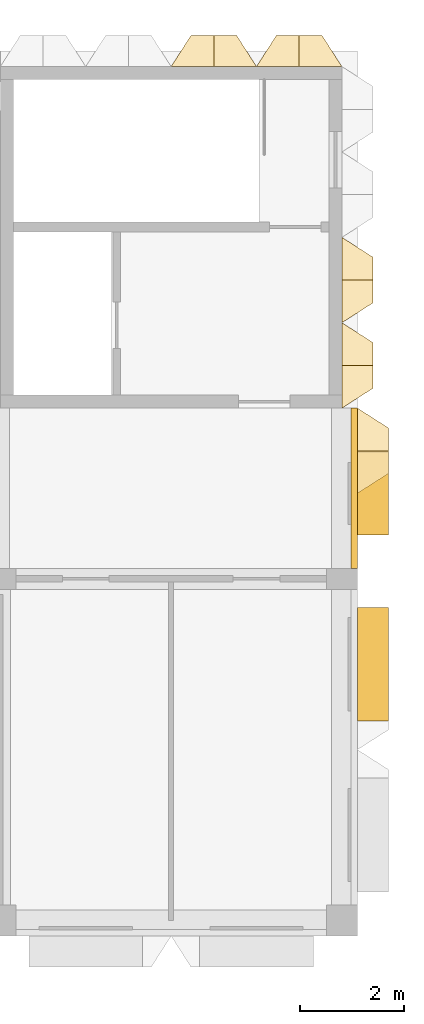
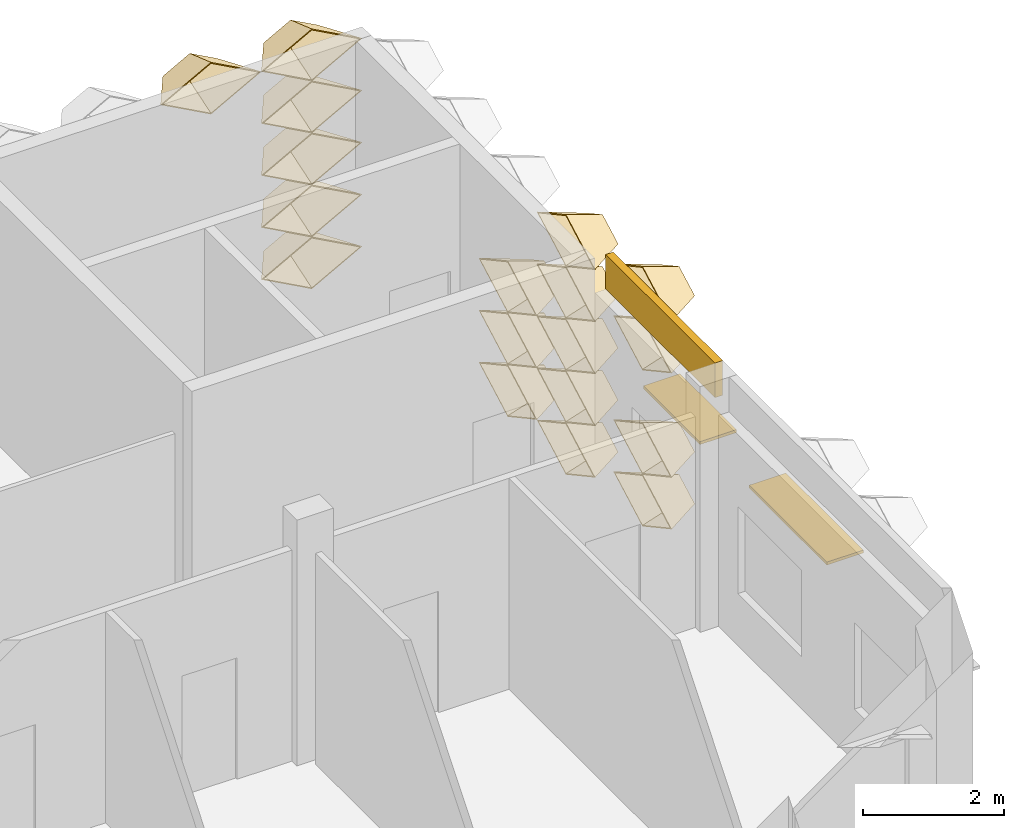
# One storey, part 83 of 85: 19 coverings, 2 shading devices.
"""IFC4 building model written with IfcOpenShell, lengths in metres."""

from ifc_helpers import new_model, entity, si_unit, direction, frame, frame_2d, origin, origin_2d, place, context, subcontext, project, spatial, rectangle, extrude, material, layer, layer_set, type_object, element, save


model = new_model("IFC4")

# Units and contexts
model_context = context("Model", 3, precision=1e-05, world=origin(), true_north=direction((0.0, 1.0)))
body_context = subcontext(model_context, "Body", "Model", "MODEL_VIEW")
ifc_project = project(units=[si_unit("LENGTHUNIT", "METRE"), si_unit("AREAUNIT", "SQUARE_METRE"), si_unit("VOLUMEUNIT", "CUBIC_METRE"), si_unit("PLANEANGLEUNIT", "RADIAN"), si_unit("MASSUNIT", "GRAM", prefix="KILO")], contexts=[model_context])

# Site, building, storey
site_placement = place(None, origin())
site = spatial("IfcSite", under=ifc_project, at=site_placement, CompositionType="ELEMENT")
building_placement = place(site_placement, origin())
building = spatial("IfcBuilding", under=site, at=building_placement, Name="Lantern Court Research Institute", CompositionType="ELEMENT")
storey_placement = place(building_placement, frame((0.0, 0.0, 18.89990234375)))
storey = spatial("IfcBuildingStorey", under=building, at=storey_placement, Name="L04", CompositionType="ELEMENT", Elevation=18.89990234375)

# Shading devices
ifc_material_1 = material(Name="Aluminium alloy 6063-T6", Category="aluminium")
ifc_layer_1 = layer(ifc_material_1, 0.050048828125)
ifc_layer_set_1 = layer_set([ifc_layer_1], Name="Aluminium alloy 6063-T6")
shading_device_type_1 = type_object("IfcShadingDeviceType", Name="Brise-soleil blade 1600 x 600 x 50 aluminium", PredefinedType="USERDEFINED", material=ifc_layer_set_1)
shading_device_1_placement = place(storey_placement, frame((79.800048828125, 90.75, 2.39990234375), z_axis=(0.0, 0.0, 1.0), x_axis=(0.0, -1.0, 0.0)))
element("IfcShadingDevice", 1, at=shading_device_1_placement, inside=storey, type_object=shading_device_type_1, Name="Brise-soleil blade L04 E", ObjectType="LOUVRE", PredefinedType="USERDEFINED", context=body_context, shape_type="SweptSolid", body=[
    extrude(rectangle(XDim=1.60009765625, YDim=0.60009765625, at=origin_2d()), origin(), (0.0, 0.0, 1.0), 0.050048828125),
])
ifc_material_2 = material(Name="Aluminium alloy 6063-T6", Category="aluminium")
ifc_layer_2 = layer(ifc_material_2, 0.050048828125)
ifc_layer_set_2 = layer_set([ifc_layer_2], Name="Aluminium alloy 6063-T6")
shading_device_type_2 = type_object("IfcShadingDeviceType", Name="Brise-soleil blade 2200 x 600 x 50 aluminium", PredefinedType="USERDEFINED", material=ifc_layer_set_2)
shading_device_2_placement = place(storey_placement, frame((79.800048828125, 87.449951171875, 2.5), z_axis=(0.0, 0.0, 1.0), x_axis=(0.0, -1.0, 0.0)))
element("IfcShadingDevice", 2, at=shading_device_2_placement, inside=storey, type_object=shading_device_type_2, Name="Brise-soleil blade L04 E", ObjectType="LOUVRE", PredefinedType="USERDEFINED", context=body_context, shape_type="SweptSolid", body=[
    extrude(rectangle(XDim=2.199951171875, YDim=0.60009765625, at=origin_2d()), origin(), (0.0, 0.0, 1.0), 0.050048828125),
])

# Coverings
ifc_material_3 = material(Name="Aluminium composite panel with mineral wool insulation", Category="aluminium")
ifc_layer_3 = layer(ifc_material_3, 0.125)
ifc_layer_set_3 = layer_set([ifc_layer_3], Name="Aluminium composite panel with mineral wool insulation")
covering_type_1 = type_object("IfcCoveringType", Name="Edge fascia panel 125 aluminium faced", PredefinedType="CLADDING", material=ifc_layer_set_3)
covering_1_placement = place(storey_placement, frame((79.4375, 92.39990234375, 3.650146484375), z_axis=(0.0, 0.0, 1.0), x_axis=(0.0, -1.0, 0.0)))
element("IfcCovering", 3, at=covering_1_placement, inside=storey, type_object=covering_type_1, Name="Edge fascia V6E L04 02", PredefinedType="CLADDING", context=body_context, shape_type="SweptSolid", body=[
    extrude(rectangle(XDim=3.099853515625, YDim=0.125, at=frame_2d((1.5498046875, 0.0))), origin(), (0.0, 0.0, 1.0), 0.599853515625),
])
ifc_material_4 = material(Name="Anodised aluminium", Category="aluminium")
ifc_layer_4 = layer(ifc_material_4, 0.01611328125)
ifc_layer_set_4 = layer_set([ifc_layer_4], Name="Anodised aluminium")
covering_type_2 = type_object("IfcCoveringType", Name="Fin cassette 1650 x 900 x 600 aluminium", PredefinedType="CLADDING", material=ifc_layer_set_4)
covering_2_placement = place(storey_placement, frame((79.199951171875, 93.22509765625, 0.4501953125), z_axis=(1.0, 0.0, 0.0), x_axis=(0.0, 1.0, 0.0)))
cartesian_point_1 = entity("IfcCartesianPoint", [0.824951171875, 0.0])
cartesian_point_2 = entity("IfcCartesianPoint", [0.79150390625, 0.0])
cartesian_point_3 = entity("IfcCartesianPoint", [0.44189453125, 0.0])
cartesian_point_4 = entity("IfcCartesianPoint", [0.43359375, 0.0])
element("IfcCovering", 4, at=covering_2_placement, inside=storey, type_object=covering_type_2, Name="Fin cassette V6E-L04 1.57", PredefinedType="CLADDING", context=body_context, shape_type="SweptSolid", body=[
    entity("IfcExtrudedAreaSolidTapered", entity("IfcArbitraryProfileDefWithVoids", "AREA", None, entity("IfcPolyline", [cartesian_point_1, entity("IfcCartesianPoint", [0.0, 0.449951171875]), entity("IfcCartesianPoint", [-0.824951171875, 0.0]), entity("IfcCartesianPoint", [0.0, -0.449951171875]), cartesian_point_1]), [entity("IfcPolyline", [cartesian_point_2, entity("IfcCartesianPoint", [0.0, 0.431884765625]), entity("IfcCartesianPoint", [-0.79150390625, 0.0]), entity("IfcCartesianPoint", [0.0, -0.431884765625]), cartesian_point_2])]), entity("IfcAxis2Placement3D", entity("IfcCartesianPoint", [0.0, 0.0, 0.0])), entity("IfcDirection", [0.0, 0.0, 1.0]), 0.60009765625, entity("IfcArbitraryProfileDefWithVoids", "AREA", None, entity("IfcPolyline", [cartesian_point_3, entity("IfcCartesianPoint", [0.0, 0.240966796875]), entity("IfcCartesianPoint", [-0.44189453125, 0.0]), entity("IfcCartesianPoint", [0.0, -0.240966796875]), cartesian_point_3]), [entity("IfcPolyline", [cartesian_point_4, entity("IfcCartesianPoint", [0.0, 0.236572265625]), entity("IfcCartesianPoint", [-0.43359375, 0.0]), entity("IfcCartesianPoint", [0.0, -0.236572265625]), cartesian_point_4])])),
])
covering_3_placement = place(storey_placement, frame((79.199951171875, 94.875, 0.4501953125), z_axis=(1.0, 0.0, 0.0), x_axis=(0.0, 1.0, 0.0)))
cartesian_point_5 = entity("IfcCartesianPoint", [0.824951171875, 0.0])
cartesian_point_6 = entity("IfcCartesianPoint", [0.79150390625, 0.0])
cartesian_point_7 = entity("IfcCartesianPoint", [0.44189453125, 0.0])
cartesian_point_8 = entity("IfcCartesianPoint", [0.43359375, 0.0])
element("IfcCovering", 5, at=covering_3_placement, inside=storey, type_object=covering_type_2, Name="Fin cassette V6E-L04 1.58", PredefinedType="CLADDING", context=body_context, shape_type="SweptSolid", body=[
    entity("IfcExtrudedAreaSolidTapered", entity("IfcArbitraryProfileDefWithVoids", "AREA", None, entity("IfcPolyline", [cartesian_point_5, entity("IfcCartesianPoint", [0.0, 0.449951171875]), entity("IfcCartesianPoint", [-0.824951171875, 0.0]), entity("IfcCartesianPoint", [0.0, -0.449951171875]), cartesian_point_5]), [entity("IfcPolyline", [cartesian_point_6, entity("IfcCartesianPoint", [0.0, 0.431884765625]), entity("IfcCartesianPoint", [-0.79150390625, 0.0]), entity("IfcCartesianPoint", [0.0, -0.431884765625]), cartesian_point_6])]), entity("IfcAxis2Placement3D", entity("IfcCartesianPoint", [0.0, 0.0, 0.0])), entity("IfcDirection", [0.0, 0.0, 1.0]), 0.60009765625, entity("IfcArbitraryProfileDefWithVoids", "AREA", None, entity("IfcPolyline", [cartesian_point_7, entity("IfcCartesianPoint", [0.0, 0.240966796875]), entity("IfcCartesianPoint", [-0.44189453125, 0.0]), entity("IfcCartesianPoint", [0.0, -0.240966796875]), cartesian_point_7]), [entity("IfcPolyline", [cartesian_point_8, entity("IfcCartesianPoint", [0.0, 0.236572265625]), entity("IfcCartesianPoint", [-0.43359375, 0.0]), entity("IfcCartesianPoint", [0.0, -0.236572265625]), cartesian_point_8])])),
])
covering_4_placement = place(storey_placement, frame((79.199951171875, 93.22509765625, 1.35009765625), z_axis=(1.0, 0.0, 0.0), x_axis=(0.0, 1.0, 0.0)))
cartesian_point_9 = entity("IfcCartesianPoint", [0.824951171875, 0.0])
cartesian_point_10 = entity("IfcCartesianPoint", [0.79150390625, 0.0])
cartesian_point_11 = entity("IfcCartesianPoint", [0.44189453125, 0.0])
cartesian_point_12 = entity("IfcCartesianPoint", [0.43359375, 0.0])
element("IfcCovering", 6, at=covering_4_placement, inside=storey, type_object=covering_type_2, Name="Fin cassette V6E-L04 2.57", PredefinedType="CLADDING", context=body_context, shape_type="SweptSolid", body=[
    entity("IfcExtrudedAreaSolidTapered", entity("IfcArbitraryProfileDefWithVoids", "AREA", None, entity("IfcPolyline", [cartesian_point_9, entity("IfcCartesianPoint", [0.0, 0.449951171875]), entity("IfcCartesianPoint", [-0.824951171875, 0.0]), entity("IfcCartesianPoint", [0.0, -0.449951171875]), cartesian_point_9]), [entity("IfcPolyline", [cartesian_point_10, entity("IfcCartesianPoint", [0.0, 0.431884765625]), entity("IfcCartesianPoint", [-0.79150390625, 0.0]), entity("IfcCartesianPoint", [0.0, -0.431884765625]), cartesian_point_10])]), entity("IfcAxis2Placement3D", entity("IfcCartesianPoint", [0.0, 0.0, 0.0])), entity("IfcDirection", [0.0, 0.0, 1.0]), 0.60009765625, entity("IfcArbitraryProfileDefWithVoids", "AREA", None, entity("IfcPolyline", [cartesian_point_11, entity("IfcCartesianPoint", [0.0, 0.240966796875]), entity("IfcCartesianPoint", [-0.44189453125, 0.0]), entity("IfcCartesianPoint", [0.0, -0.240966796875]), cartesian_point_11]), [entity("IfcPolyline", [cartesian_point_12, entity("IfcCartesianPoint", [0.0, 0.236572265625]), entity("IfcCartesianPoint", [-0.43359375, 0.0]), entity("IfcCartesianPoint", [0.0, -0.236572265625]), cartesian_point_12])])),
])
covering_5_placement = place(storey_placement, frame((79.199951171875, 94.875, 1.35009765625), z_axis=(1.0, 0.0, 0.0), x_axis=(0.0, 1.0, 0.0)))
cartesian_point_13 = entity("IfcCartesianPoint", [0.824951171875, 0.0])
cartesian_point_14 = entity("IfcCartesianPoint", [0.79150390625, 0.0])
cartesian_point_15 = entity("IfcCartesianPoint", [0.44189453125, 0.0])
cartesian_point_16 = entity("IfcCartesianPoint", [0.43359375, 0.0])
element("IfcCovering", 7, at=covering_5_placement, inside=storey, type_object=covering_type_2, Name="Fin cassette V6E-L04 2.58", PredefinedType="CLADDING", context=body_context, shape_type="SweptSolid", body=[
    entity("IfcExtrudedAreaSolidTapered", entity("IfcArbitraryProfileDefWithVoids", "AREA", None, entity("IfcPolyline", [cartesian_point_13, entity("IfcCartesianPoint", [0.0, 0.449951171875]), entity("IfcCartesianPoint", [-0.824951171875, 0.0]), entity("IfcCartesianPoint", [0.0, -0.449951171875]), cartesian_point_13]), [entity("IfcPolyline", [cartesian_point_14, entity("IfcCartesianPoint", [0.0, 0.431884765625]), entity("IfcCartesianPoint", [-0.79150390625, 0.0]), entity("IfcCartesianPoint", [0.0, -0.431884765625]), cartesian_point_14])]), entity("IfcAxis2Placement3D", entity("IfcCartesianPoint", [0.0, 0.0, 0.0])), entity("IfcDirection", [0.0, 0.0, 1.0]), 0.60009765625, entity("IfcArbitraryProfileDefWithVoids", "AREA", None, entity("IfcPolyline", [cartesian_point_15, entity("IfcCartesianPoint", [0.0, 0.240966796875]), entity("IfcCartesianPoint", [-0.44189453125, 0.0]), entity("IfcCartesianPoint", [0.0, -0.240966796875]), cartesian_point_15]), [entity("IfcPolyline", [cartesian_point_16, entity("IfcCartesianPoint", [0.0, 0.236572265625]), entity("IfcCartesianPoint", [-0.43359375, 0.0]), entity("IfcCartesianPoint", [0.0, -0.236572265625]), cartesian_point_16])])),
])
covering_6_placement = place(storey_placement, frame((79.199951171875, 93.22509765625, 2.25), z_axis=(1.0, 0.0, 0.0), x_axis=(0.0, 1.0, 0.0)))
cartesian_point_17 = entity("IfcCartesianPoint", [0.824951171875, 0.0])
cartesian_point_18 = entity("IfcCartesianPoint", [0.79150390625, 0.0])
cartesian_point_19 = entity("IfcCartesianPoint", [0.44189453125, 0.0])
cartesian_point_20 = entity("IfcCartesianPoint", [0.43359375, 0.0])
element("IfcCovering", 8, at=covering_6_placement, inside=storey, type_object=covering_type_2, Name="Fin cassette V6E-L04 3.57", PredefinedType="CLADDING", context=body_context, shape_type="SweptSolid", body=[
    entity("IfcExtrudedAreaSolidTapered", entity("IfcArbitraryProfileDefWithVoids", "AREA", None, entity("IfcPolyline", [cartesian_point_17, entity("IfcCartesianPoint", [0.0, 0.449951171875]), entity("IfcCartesianPoint", [-0.824951171875, 0.0]), entity("IfcCartesianPoint", [0.0, -0.449951171875]), cartesian_point_17]), [entity("IfcPolyline", [cartesian_point_18, entity("IfcCartesianPoint", [0.0, 0.431884765625]), entity("IfcCartesianPoint", [-0.79150390625, 0.0]), entity("IfcCartesianPoint", [0.0, -0.431884765625]), cartesian_point_18])]), entity("IfcAxis2Placement3D", entity("IfcCartesianPoint", [0.0, 0.0, 0.0])), entity("IfcDirection", [0.0, 0.0, 1.0]), 0.60009765625, entity("IfcArbitraryProfileDefWithVoids", "AREA", None, entity("IfcPolyline", [cartesian_point_19, entity("IfcCartesianPoint", [0.0, 0.240966796875]), entity("IfcCartesianPoint", [-0.44189453125, 0.0]), entity("IfcCartesianPoint", [0.0, -0.240966796875]), cartesian_point_19]), [entity("IfcPolyline", [cartesian_point_20, entity("IfcCartesianPoint", [0.0, 0.236572265625]), entity("IfcCartesianPoint", [-0.43359375, 0.0]), entity("IfcCartesianPoint", [0.0, -0.236572265625]), cartesian_point_20])])),
])
covering_7_placement = place(storey_placement, frame((79.199951171875, 94.875, 2.25), z_axis=(1.0, 0.0, 0.0), x_axis=(0.0, 1.0, 0.0)))
cartesian_point_21 = entity("IfcCartesianPoint", [0.824951171875, 0.0])
cartesian_point_22 = entity("IfcCartesianPoint", [0.79150390625, 0.0])
cartesian_point_23 = entity("IfcCartesianPoint", [0.44189453125, 0.0])
cartesian_point_24 = entity("IfcCartesianPoint", [0.43359375, 0.0])
element("IfcCovering", 9, at=covering_7_placement, inside=storey, type_object=covering_type_2, Name="Fin cassette V6E-L04 3.58", PredefinedType="CLADDING", context=body_context, shape_type="SweptSolid", body=[
    entity("IfcExtrudedAreaSolidTapered", entity("IfcArbitraryProfileDefWithVoids", "AREA", None, entity("IfcPolyline", [cartesian_point_21, entity("IfcCartesianPoint", [0.0, 0.449951171875]), entity("IfcCartesianPoint", [-0.824951171875, 0.0]), entity("IfcCartesianPoint", [0.0, -0.449951171875]), cartesian_point_21]), [entity("IfcPolyline", [cartesian_point_22, entity("IfcCartesianPoint", [0.0, 0.431884765625]), entity("IfcCartesianPoint", [-0.79150390625, 0.0]), entity("IfcCartesianPoint", [0.0, -0.431884765625]), cartesian_point_22])]), entity("IfcAxis2Placement3D", entity("IfcCartesianPoint", [0.0, 0.0, 0.0])), entity("IfcDirection", [0.0, 0.0, 1.0]), 0.60009765625, entity("IfcArbitraryProfileDefWithVoids", "AREA", None, entity("IfcPolyline", [cartesian_point_23, entity("IfcCartesianPoint", [0.0, 0.240966796875]), entity("IfcCartesianPoint", [-0.44189453125, 0.0]), entity("IfcCartesianPoint", [0.0, -0.240966796875]), cartesian_point_23]), [entity("IfcPolyline", [cartesian_point_24, entity("IfcCartesianPoint", [0.0, 0.236572265625]), entity("IfcCartesianPoint", [-0.43359375, 0.0]), entity("IfcCartesianPoint", [0.0, -0.236572265625]), cartesian_point_24])])),
])
covering_8_placement = place(storey_placement, frame((79.199951171875, 93.22509765625, 3.150146484375), z_axis=(1.0, 0.0, 0.0), x_axis=(0.0, 1.0, 0.0)))
cartesian_point_25 = entity("IfcCartesianPoint", [0.824951171875, 0.0])
cartesian_point_26 = entity("IfcCartesianPoint", [0.79150390625, 0.0])
cartesian_point_27 = entity("IfcCartesianPoint", [0.44189453125, 0.0])
cartesian_point_28 = entity("IfcCartesianPoint", [0.43359375, 0.0])
element("IfcCovering", 10, at=covering_8_placement, inside=storey, type_object=covering_type_2, Name="Fin cassette V6E-L04 4.57", PredefinedType="CLADDING", context=body_context, shape_type="SweptSolid", body=[
    entity("IfcExtrudedAreaSolidTapered", entity("IfcArbitraryProfileDefWithVoids", "AREA", None, entity("IfcPolyline", [cartesian_point_25, entity("IfcCartesianPoint", [0.0, 0.449951171875]), entity("IfcCartesianPoint", [-0.824951171875, 0.0]), entity("IfcCartesianPoint", [0.0, -0.449951171875]), cartesian_point_25]), [entity("IfcPolyline", [cartesian_point_26, entity("IfcCartesianPoint", [0.0, 0.431884765625]), entity("IfcCartesianPoint", [-0.79150390625, 0.0]), entity("IfcCartesianPoint", [0.0, -0.431884765625]), cartesian_point_26])]), entity("IfcAxis2Placement3D", entity("IfcCartesianPoint", [0.0, 0.0, 0.0])), entity("IfcDirection", [0.0, 0.0, 1.0]), 0.60009765625, entity("IfcArbitraryProfileDefWithVoids", "AREA", None, entity("IfcPolyline", [cartesian_point_27, entity("IfcCartesianPoint", [0.0, 0.240966796875]), entity("IfcCartesianPoint", [-0.44189453125, 0.0]), entity("IfcCartesianPoint", [0.0, -0.240966796875]), cartesian_point_27]), [entity("IfcPolyline", [cartesian_point_28, entity("IfcCartesianPoint", [0.0, 0.236572265625]), entity("IfcCartesianPoint", [-0.43359375, 0.0]), entity("IfcCartesianPoint", [0.0, -0.236572265625]), cartesian_point_28])])),
])
covering_9_placement = place(storey_placement, frame((79.199951171875, 93.22509765625, 4.050048828125), z_axis=(1.0, 0.0, 0.0), x_axis=(0.0, 1.0, 0.0)))
cartesian_point_29 = entity("IfcCartesianPoint", [0.824951171875, 0.0])
cartesian_point_30 = entity("IfcCartesianPoint", [0.79150390625, 0.0])
cartesian_point_31 = entity("IfcCartesianPoint", [0.44189453125, 0.0])
cartesian_point_32 = entity("IfcCartesianPoint", [0.43359375, 0.0])
element("IfcCovering", 11, at=covering_9_placement, inside=storey, type_object=covering_type_2, Name="Fin cassette V6E-L04 5.57", PredefinedType="CLADDING", context=body_context, shape_type="SweptSolid", body=[
    entity("IfcExtrudedAreaSolidTapered", entity("IfcArbitraryProfileDefWithVoids", "AREA", None, entity("IfcPolyline", [cartesian_point_29, entity("IfcCartesianPoint", [0.0, 0.449951171875]), entity("IfcCartesianPoint", [-0.824951171875, 0.0]), entity("IfcCartesianPoint", [0.0, -0.449951171875]), cartesian_point_29]), [entity("IfcPolyline", [cartesian_point_30, entity("IfcCartesianPoint", [0.0, 0.431884765625]), entity("IfcCartesianPoint", [-0.79150390625, 0.0]), entity("IfcCartesianPoint", [0.0, -0.431884765625]), cartesian_point_30])]), entity("IfcAxis2Placement3D", entity("IfcCartesianPoint", [0.0, 0.0, 0.0])), entity("IfcDirection", [0.0, 0.0, 1.0]), 0.60009765625, entity("IfcArbitraryProfileDefWithVoids", "AREA", None, entity("IfcPolyline", [cartesian_point_31, entity("IfcCartesianPoint", [0.0, 0.240966796875]), entity("IfcCartesianPoint", [-0.44189453125, 0.0]), entity("IfcCartesianPoint", [0.0, -0.240966796875]), cartesian_point_31]), [entity("IfcPolyline", [cartesian_point_32, entity("IfcCartesianPoint", [0.0, 0.236572265625]), entity("IfcCartesianPoint", [-0.43359375, 0.0]), entity("IfcCartesianPoint", [0.0, -0.236572265625]), cartesian_point_32])])),
])
covering_10_placement = place(storey_placement, frame((79.5, 91.574951171875, 0.4501953125), z_axis=(1.0, 0.0, 0.0), x_axis=(0.0, 1.0, 0.0)))
cartesian_point_33 = entity("IfcCartesianPoint", [0.824951171875, 0.0])
cartesian_point_34 = entity("IfcCartesianPoint", [0.79150390625, 0.0])
cartesian_point_35 = entity("IfcCartesianPoint", [0.44189453125, 0.0])
cartesian_point_36 = entity("IfcCartesianPoint", [0.43359375, 0.0])
element("IfcCovering", 12, at=covering_10_placement, inside=storey, type_object=covering_type_2, Name="Fin cassette V6E-L04 1.56", PredefinedType="CLADDING", context=body_context, shape_type="SweptSolid", body=[
    entity("IfcExtrudedAreaSolidTapered", entity("IfcArbitraryProfileDefWithVoids", "AREA", None, entity("IfcPolyline", [cartesian_point_33, entity("IfcCartesianPoint", [0.0, 0.449951171875]), entity("IfcCartesianPoint", [-0.824951171875, 0.0]), entity("IfcCartesianPoint", [0.0, -0.449951171875]), cartesian_point_33]), [entity("IfcPolyline", [cartesian_point_34, entity("IfcCartesianPoint", [0.0, 0.431884765625]), entity("IfcCartesianPoint", [-0.79150390625, 0.0]), entity("IfcCartesianPoint", [0.0, -0.431884765625]), cartesian_point_34])]), entity("IfcAxis2Placement3D", entity("IfcCartesianPoint", [0.0, 0.0, 0.0])), entity("IfcDirection", [0.0, 0.0, 1.0]), 0.60009765625, entity("IfcArbitraryProfileDefWithVoids", "AREA", None, entity("IfcPolyline", [cartesian_point_35, entity("IfcCartesianPoint", [0.0, 0.240966796875]), entity("IfcCartesianPoint", [-0.44189453125, 0.0]), entity("IfcCartesianPoint", [0.0, -0.240966796875]), cartesian_point_35]), [entity("IfcPolyline", [cartesian_point_36, entity("IfcCartesianPoint", [0.0, 0.236572265625]), entity("IfcCartesianPoint", [-0.43359375, 0.0]), entity("IfcCartesianPoint", [0.0, -0.236572265625]), cartesian_point_36])])),
])
covering_11_placement = place(storey_placement, frame((79.5, 91.574951171875, 1.35009765625), z_axis=(1.0, 0.0, 0.0), x_axis=(0.0, 1.0, 0.0)))
cartesian_point_37 = entity("IfcCartesianPoint", [0.824951171875, 0.0])
cartesian_point_38 = entity("IfcCartesianPoint", [0.79150390625, 0.0])
cartesian_point_39 = entity("IfcCartesianPoint", [0.44189453125, 0.0])
cartesian_point_40 = entity("IfcCartesianPoint", [0.43359375, 0.0])
element("IfcCovering", 13, at=covering_11_placement, inside=storey, type_object=covering_type_2, Name="Fin cassette V6E-L04 2.56", PredefinedType="CLADDING", context=body_context, shape_type="SweptSolid", body=[
    entity("IfcExtrudedAreaSolidTapered", entity("IfcArbitraryProfileDefWithVoids", "AREA", None, entity("IfcPolyline", [cartesian_point_37, entity("IfcCartesianPoint", [0.0, 0.449951171875]), entity("IfcCartesianPoint", [-0.824951171875, 0.0]), entity("IfcCartesianPoint", [0.0, -0.449951171875]), cartesian_point_37]), [entity("IfcPolyline", [cartesian_point_38, entity("IfcCartesianPoint", [0.0, 0.431884765625]), entity("IfcCartesianPoint", [-0.79150390625, 0.0]), entity("IfcCartesianPoint", [0.0, -0.431884765625]), cartesian_point_38])]), entity("IfcAxis2Placement3D", entity("IfcCartesianPoint", [0.0, 0.0, 0.0])), entity("IfcDirection", [0.0, 0.0, 1.0]), 0.60009765625, entity("IfcArbitraryProfileDefWithVoids", "AREA", None, entity("IfcPolyline", [cartesian_point_39, entity("IfcCartesianPoint", [0.0, 0.240966796875]), entity("IfcCartesianPoint", [-0.44189453125, 0.0]), entity("IfcCartesianPoint", [0.0, -0.240966796875]), cartesian_point_39]), [entity("IfcPolyline", [cartesian_point_40, entity("IfcCartesianPoint", [0.0, 0.236572265625]), entity("IfcCartesianPoint", [-0.43359375, 0.0]), entity("IfcCartesianPoint", [0.0, -0.236572265625]), cartesian_point_40])])),
])
covering_12_placement = place(storey_placement, frame((79.5, 91.574951171875, 3.150146484375), z_axis=(1.0, 0.0, 0.0), x_axis=(0.0, 1.0, 0.0)))
cartesian_point_41 = entity("IfcCartesianPoint", [0.824951171875, 0.0])
cartesian_point_42 = entity("IfcCartesianPoint", [0.79150390625, 0.0])
cartesian_point_43 = entity("IfcCartesianPoint", [0.44189453125, 0.0])
cartesian_point_44 = entity("IfcCartesianPoint", [0.43359375, 0.0])
element("IfcCovering", 14, at=covering_12_placement, inside=storey, type_object=covering_type_2, Name="Fin cassette V6E-L04 4.56", PredefinedType="CLADDING", context=body_context, shape_type="SweptSolid", body=[
    entity("IfcExtrudedAreaSolidTapered", entity("IfcArbitraryProfileDefWithVoids", "AREA", None, entity("IfcPolyline", [cartesian_point_41, entity("IfcCartesianPoint", [0.0, 0.449951171875]), entity("IfcCartesianPoint", [-0.824951171875, 0.0]), entity("IfcCartesianPoint", [0.0, -0.449951171875]), cartesian_point_41]), [entity("IfcPolyline", [cartesian_point_42, entity("IfcCartesianPoint", [0.0, 0.431884765625]), entity("IfcCartesianPoint", [-0.79150390625, 0.0]), entity("IfcCartesianPoint", [0.0, -0.431884765625]), cartesian_point_42])]), entity("IfcAxis2Placement3D", entity("IfcCartesianPoint", [0.0, 0.0, 0.0])), entity("IfcDirection", [0.0, 0.0, 1.0]), 0.60009765625, entity("IfcArbitraryProfileDefWithVoids", "AREA", None, entity("IfcPolyline", [cartesian_point_43, entity("IfcCartesianPoint", [0.0, 0.240966796875]), entity("IfcCartesianPoint", [-0.44189453125, 0.0]), entity("IfcCartesianPoint", [0.0, -0.240966796875]), cartesian_point_43]), [entity("IfcPolyline", [cartesian_point_44, entity("IfcCartesianPoint", [0.0, 0.236572265625]), entity("IfcCartesianPoint", [-0.43359375, 0.0]), entity("IfcCartesianPoint", [0.0, -0.236572265625]), cartesian_point_44])])),
])
covering_13_placement = place(storey_placement, frame((79.5, 91.574951171875, 4.050048828125), z_axis=(1.0, 0.0, 0.0), x_axis=(0.0, 1.0, 0.0)))
cartesian_point_45 = entity("IfcCartesianPoint", [0.824951171875, 0.0])
cartesian_point_46 = entity("IfcCartesianPoint", [0.79150390625, 0.0])
cartesian_point_47 = entity("IfcCartesianPoint", [0.44189453125, 0.0])
cartesian_point_48 = entity("IfcCartesianPoint", [0.43359375, 0.0])
element("IfcCovering", 15, at=covering_13_placement, inside=storey, type_object=covering_type_2, Name="Fin cassette V6E-L04 5.56", PredefinedType="CLADDING", context=body_context, shape_type="SweptSolid", body=[
    entity("IfcExtrudedAreaSolidTapered", entity("IfcArbitraryProfileDefWithVoids", "AREA", None, entity("IfcPolyline", [cartesian_point_45, entity("IfcCartesianPoint", [0.0, 0.449951171875]), entity("IfcCartesianPoint", [-0.824951171875, 0.0]), entity("IfcCartesianPoint", [0.0, -0.449951171875]), cartesian_point_45]), [entity("IfcPolyline", [cartesian_point_46, entity("IfcCartesianPoint", [0.0, 0.431884765625]), entity("IfcCartesianPoint", [-0.79150390625, 0.0]), entity("IfcCartesianPoint", [0.0, -0.431884765625]), cartesian_point_46])]), entity("IfcAxis2Placement3D", entity("IfcCartesianPoint", [0.0, 0.0, 0.0])), entity("IfcDirection", [0.0, 0.0, 1.0]), 0.60009765625, entity("IfcArbitraryProfileDefWithVoids", "AREA", None, entity("IfcPolyline", [cartesian_point_47, entity("IfcCartesianPoint", [0.0, 0.240966796875]), entity("IfcCartesianPoint", [-0.44189453125, 0.0]), entity("IfcCartesianPoint", [0.0, -0.240966796875]), cartesian_point_47]), [entity("IfcPolyline", [cartesian_point_48, entity("IfcCartesianPoint", [0.0, 0.236572265625]), entity("IfcCartesianPoint", [-0.43359375, 0.0]), entity("IfcCartesianPoint", [0.0, -0.236572265625]), cartesian_point_48])])),
])
covering_14_placement = place(storey_placement, frame((78.375, 99.0, 0.4501953125), z_axis=(0.0, 1.0, 0.0), x_axis=(-1.0, 0.0, 0.0)))
cartesian_point_49 = entity("IfcCartesianPoint", [0.824951171875, 0.0])
cartesian_point_50 = entity("IfcCartesianPoint", [0.79150390625, 0.0])
cartesian_point_51 = entity("IfcCartesianPoint", [0.44189453125, 0.0])
cartesian_point_52 = entity("IfcCartesianPoint", [0.43359375, 0.0])
element("IfcCovering", 16, at=covering_14_placement, inside=storey, type_object=covering_type_2, Name="Fin cassette V6N-L04 1.48", PredefinedType="CLADDING", context=body_context, shape_type="SweptSolid", body=[
    entity("IfcExtrudedAreaSolidTapered", entity("IfcArbitraryProfileDefWithVoids", "AREA", None, entity("IfcPolyline", [cartesian_point_49, entity("IfcCartesianPoint", [0.0, 0.449951171875]), entity("IfcCartesianPoint", [-0.824951171875, 0.0]), entity("IfcCartesianPoint", [0.0, -0.449951171875]), cartesian_point_49]), [entity("IfcPolyline", [cartesian_point_50, entity("IfcCartesianPoint", [0.0, 0.431884765625]), entity("IfcCartesianPoint", [-0.79150390625, 0.0]), entity("IfcCartesianPoint", [0.0, -0.431884765625]), cartesian_point_50])]), entity("IfcAxis2Placement3D", entity("IfcCartesianPoint", [0.0, 0.0, 0.0])), entity("IfcDirection", [0.0, 0.0, 1.0]), 0.60009765625, entity("IfcArbitraryProfileDefWithVoids", "AREA", None, entity("IfcPolyline", [cartesian_point_51, entity("IfcCartesianPoint", [0.0, 0.240966796875]), entity("IfcCartesianPoint", [-0.44189453125, 0.0]), entity("IfcCartesianPoint", [0.0, -0.240966796875]), cartesian_point_51]), [entity("IfcPolyline", [cartesian_point_52, entity("IfcCartesianPoint", [0.0, 0.236572265625]), entity("IfcCartesianPoint", [-0.43359375, 0.0]), entity("IfcCartesianPoint", [0.0, -0.236572265625]), cartesian_point_52])])),
])
covering_15_placement = place(storey_placement, frame((78.375, 99.0, 1.35009765625), z_axis=(0.0, 1.0, 0.0), x_axis=(-1.0, 0.0, 0.0)))
cartesian_point_53 = entity("IfcCartesianPoint", [0.824951171875, 0.0])
cartesian_point_54 = entity("IfcCartesianPoint", [0.79150390625, 0.0])
cartesian_point_55 = entity("IfcCartesianPoint", [0.44189453125, 0.0])
cartesian_point_56 = entity("IfcCartesianPoint", [0.43359375, 0.0])
element("IfcCovering", 17, at=covering_15_placement, inside=storey, type_object=covering_type_2, Name="Fin cassette V6N-L04 2.48", PredefinedType="CLADDING", context=body_context, shape_type="SweptSolid", body=[
    entity("IfcExtrudedAreaSolidTapered", entity("IfcArbitraryProfileDefWithVoids", "AREA", None, entity("IfcPolyline", [cartesian_point_53, entity("IfcCartesianPoint", [0.0, 0.449951171875]), entity("IfcCartesianPoint", [-0.824951171875, 0.0]), entity("IfcCartesianPoint", [0.0, -0.449951171875]), cartesian_point_53]), [entity("IfcPolyline", [cartesian_point_54, entity("IfcCartesianPoint", [0.0, 0.431884765625]), entity("IfcCartesianPoint", [-0.79150390625, 0.0]), entity("IfcCartesianPoint", [0.0, -0.431884765625]), cartesian_point_54])]), entity("IfcAxis2Placement3D", entity("IfcCartesianPoint", [0.0, 0.0, 0.0])), entity("IfcDirection", [0.0, 0.0, 1.0]), 0.60009765625, entity("IfcArbitraryProfileDefWithVoids", "AREA", None, entity("IfcPolyline", [cartesian_point_55, entity("IfcCartesianPoint", [0.0, 0.240966796875]), entity("IfcCartesianPoint", [-0.44189453125, 0.0]), entity("IfcCartesianPoint", [0.0, -0.240966796875]), cartesian_point_55]), [entity("IfcPolyline", [cartesian_point_56, entity("IfcCartesianPoint", [0.0, 0.236572265625]), entity("IfcCartesianPoint", [-0.43359375, 0.0]), entity("IfcCartesianPoint", [0.0, -0.236572265625]), cartesian_point_56])])),
])
covering_16_placement = place(storey_placement, frame((78.375, 99.0, 2.25), z_axis=(0.0, 1.0, 0.0), x_axis=(-1.0, 0.0, 0.0)))
cartesian_point_57 = entity("IfcCartesianPoint", [0.824951171875, 0.0])
cartesian_point_58 = entity("IfcCartesianPoint", [0.79150390625, 0.0])
cartesian_point_59 = entity("IfcCartesianPoint", [0.44189453125, 0.0])
cartesian_point_60 = entity("IfcCartesianPoint", [0.43359375, 0.0])
element("IfcCovering", 18, at=covering_16_placement, inside=storey, type_object=covering_type_2, Name="Fin cassette V6N-L04 3.48", PredefinedType="CLADDING", context=body_context, shape_type="SweptSolid", body=[
    entity("IfcExtrudedAreaSolidTapered", entity("IfcArbitraryProfileDefWithVoids", "AREA", None, entity("IfcPolyline", [cartesian_point_57, entity("IfcCartesianPoint", [0.0, 0.449951171875]), entity("IfcCartesianPoint", [-0.824951171875, 0.0]), entity("IfcCartesianPoint", [0.0, -0.449951171875]), cartesian_point_57]), [entity("IfcPolyline", [cartesian_point_58, entity("IfcCartesianPoint", [0.0, 0.431884765625]), entity("IfcCartesianPoint", [-0.79150390625, 0.0]), entity("IfcCartesianPoint", [0.0, -0.431884765625]), cartesian_point_58])]), entity("IfcAxis2Placement3D", entity("IfcCartesianPoint", [0.0, 0.0, 0.0])), entity("IfcDirection", [0.0, 0.0, 1.0]), 0.60009765625, entity("IfcArbitraryProfileDefWithVoids", "AREA", None, entity("IfcPolyline", [cartesian_point_59, entity("IfcCartesianPoint", [0.0, 0.240966796875]), entity("IfcCartesianPoint", [-0.44189453125, 0.0]), entity("IfcCartesianPoint", [0.0, -0.240966796875]), cartesian_point_59]), [entity("IfcPolyline", [cartesian_point_60, entity("IfcCartesianPoint", [0.0, 0.236572265625]), entity("IfcCartesianPoint", [-0.43359375, 0.0]), entity("IfcCartesianPoint", [0.0, -0.236572265625]), cartesian_point_60])])),
])
covering_17_placement = place(storey_placement, frame((78.375, 99.0, 3.150146484375), z_axis=(0.0, 1.0, 0.0), x_axis=(-1.0, 0.0, 0.0)))
cartesian_point_61 = entity("IfcCartesianPoint", [0.824951171875, 0.0])
cartesian_point_62 = entity("IfcCartesianPoint", [0.79150390625, 0.0])
cartesian_point_63 = entity("IfcCartesianPoint", [0.44189453125, 0.0])
cartesian_point_64 = entity("IfcCartesianPoint", [0.43359375, 0.0])
element("IfcCovering", 19, at=covering_17_placement, inside=storey, type_object=covering_type_2, Name="Fin cassette V6N-L04 4.48", PredefinedType="CLADDING", context=body_context, shape_type="SweptSolid", body=[
    entity("IfcExtrudedAreaSolidTapered", entity("IfcArbitraryProfileDefWithVoids", "AREA", None, entity("IfcPolyline", [cartesian_point_61, entity("IfcCartesianPoint", [0.0, 0.449951171875]), entity("IfcCartesianPoint", [-0.824951171875, 0.0]), entity("IfcCartesianPoint", [0.0, -0.449951171875]), cartesian_point_61]), [entity("IfcPolyline", [cartesian_point_62, entity("IfcCartesianPoint", [0.0, 0.431884765625]), entity("IfcCartesianPoint", [-0.79150390625, 0.0]), entity("IfcCartesianPoint", [0.0, -0.431884765625]), cartesian_point_62])]), entity("IfcAxis2Placement3D", entity("IfcCartesianPoint", [0.0, 0.0, 0.0])), entity("IfcDirection", [0.0, 0.0, 1.0]), 0.60009765625, entity("IfcArbitraryProfileDefWithVoids", "AREA", None, entity("IfcPolyline", [cartesian_point_63, entity("IfcCartesianPoint", [0.0, 0.240966796875]), entity("IfcCartesianPoint", [-0.44189453125, 0.0]), entity("IfcCartesianPoint", [0.0, -0.240966796875]), cartesian_point_63]), [entity("IfcPolyline", [cartesian_point_64, entity("IfcCartesianPoint", [0.0, 0.236572265625]), entity("IfcCartesianPoint", [-0.43359375, 0.0]), entity("IfcCartesianPoint", [0.0, -0.236572265625]), cartesian_point_64])])),
])
covering_18_placement = place(storey_placement, frame((76.72509765625, 99.0, 4.050048828125), z_axis=(0.0, 1.0, 0.0), x_axis=(-1.0, 0.0, 0.0)))
cartesian_point_65 = entity("IfcCartesianPoint", [0.824951171875, 0.0])
cartesian_point_66 = entity("IfcCartesianPoint", [0.79150390625, 0.0])
cartesian_point_67 = entity("IfcCartesianPoint", [0.44189453125, 0.0])
cartesian_point_68 = entity("IfcCartesianPoint", [0.43359375, 0.0])
element("IfcCovering", 20, at=covering_18_placement, inside=storey, type_object=covering_type_2, Name="Fin cassette V6N-L04 5.47", PredefinedType="CLADDING", context=body_context, shape_type="SweptSolid", body=[
    entity("IfcExtrudedAreaSolidTapered", entity("IfcArbitraryProfileDefWithVoids", "AREA", None, entity("IfcPolyline", [cartesian_point_65, entity("IfcCartesianPoint", [0.0, 0.449951171875]), entity("IfcCartesianPoint", [-0.824951171875, 0.0]), entity("IfcCartesianPoint", [0.0, -0.449951171875]), cartesian_point_65]), [entity("IfcPolyline", [cartesian_point_66, entity("IfcCartesianPoint", [0.0, 0.431884765625]), entity("IfcCartesianPoint", [-0.79150390625, 0.0]), entity("IfcCartesianPoint", [0.0, -0.431884765625]), cartesian_point_66])]), entity("IfcAxis2Placement3D", entity("IfcCartesianPoint", [0.0, 0.0, 0.0])), entity("IfcDirection", [0.0, 0.0, 1.0]), 0.60009765625, entity("IfcArbitraryProfileDefWithVoids", "AREA", None, entity("IfcPolyline", [cartesian_point_67, entity("IfcCartesianPoint", [0.0, 0.240966796875]), entity("IfcCartesianPoint", [-0.44189453125, 0.0]), entity("IfcCartesianPoint", [0.0, -0.240966796875]), cartesian_point_67]), [entity("IfcPolyline", [cartesian_point_68, entity("IfcCartesianPoint", [0.0, 0.236572265625]), entity("IfcCartesianPoint", [-0.43359375, 0.0]), entity("IfcCartesianPoint", [0.0, -0.236572265625]), cartesian_point_68])])),
])
covering_19_placement = place(storey_placement, frame((78.375, 99.0, 4.050048828125), z_axis=(0.0, 1.0, 0.0), x_axis=(-1.0, 0.0, 0.0)))
cartesian_point_69 = entity("IfcCartesianPoint", [0.824951171875, 0.0])
cartesian_point_70 = entity("IfcCartesianPoint", [0.79150390625, 0.0])
cartesian_point_71 = entity("IfcCartesianPoint", [0.44189453125, 0.0])
cartesian_point_72 = entity("IfcCartesianPoint", [0.43359375, 0.0])
element("IfcCovering", 21, at=covering_19_placement, inside=storey, type_object=covering_type_2, Name="Fin cassette V6N-L04 5.48", PredefinedType="CLADDING", context=body_context, shape_type="SweptSolid", body=[
    entity("IfcExtrudedAreaSolidTapered", entity("IfcArbitraryProfileDefWithVoids", "AREA", None, entity("IfcPolyline", [cartesian_point_69, entity("IfcCartesianPoint", [0.0, 0.449951171875]), entity("IfcCartesianPoint", [-0.824951171875, 0.0]), entity("IfcCartesianPoint", [0.0, -0.449951171875]), cartesian_point_69]), [entity("IfcPolyline", [cartesian_point_70, entity("IfcCartesianPoint", [0.0, 0.431884765625]), entity("IfcCartesianPoint", [-0.79150390625, 0.0]), entity("IfcCartesianPoint", [0.0, -0.431884765625]), cartesian_point_70])]), entity("IfcAxis2Placement3D", entity("IfcCartesianPoint", [0.0, 0.0, 0.0])), entity("IfcDirection", [0.0, 0.0, 1.0]), 0.60009765625, entity("IfcArbitraryProfileDefWithVoids", "AREA", None, entity("IfcPolyline", [cartesian_point_71, entity("IfcCartesianPoint", [0.0, 0.240966796875]), entity("IfcCartesianPoint", [-0.44189453125, 0.0]), entity("IfcCartesianPoint", [0.0, -0.240966796875]), cartesian_point_71]), [entity("IfcPolyline", [cartesian_point_72, entity("IfcCartesianPoint", [0.0, 0.236572265625]), entity("IfcCartesianPoint", [-0.43359375, 0.0]), entity("IfcCartesianPoint", [0.0, -0.236572265625]), cartesian_point_72])])),
])

save(model, "model.ifc")
